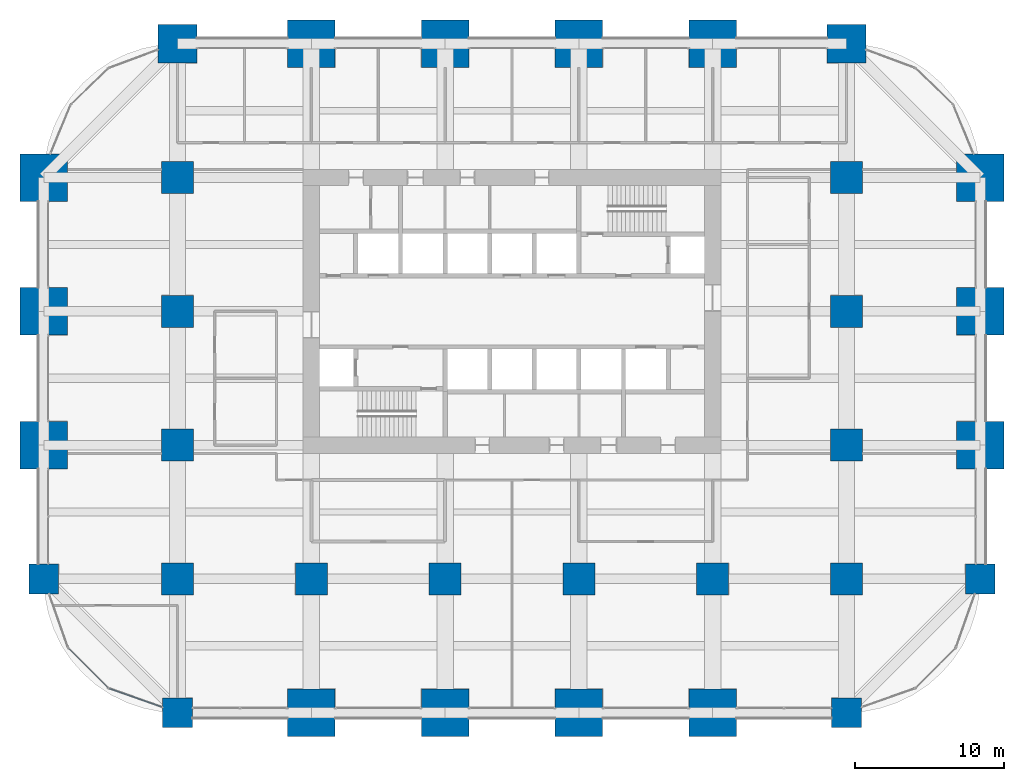
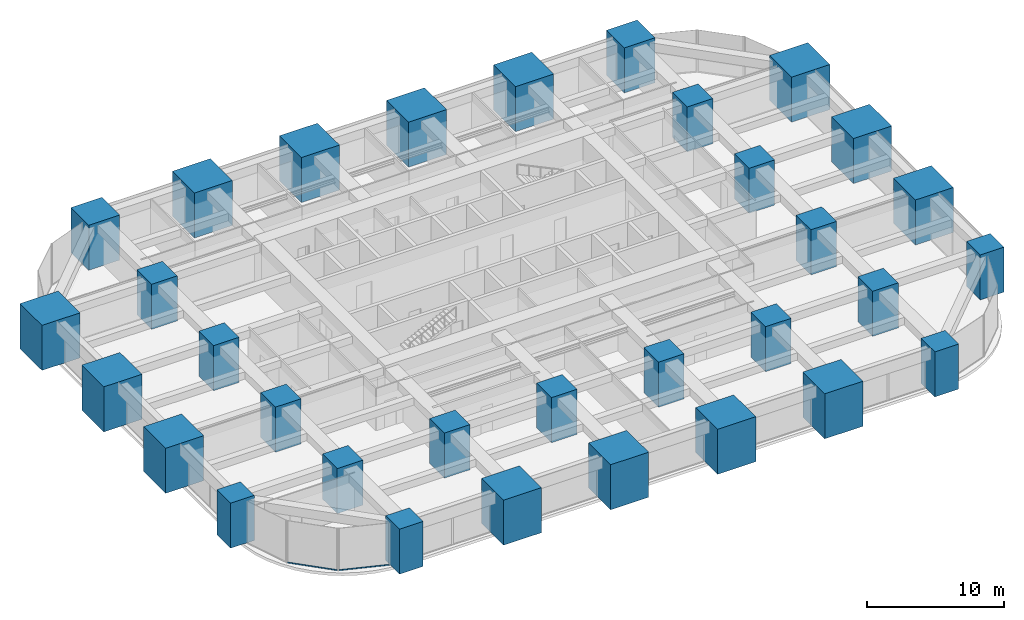
# One storey, part 1 of 41: 32 columns, 2 members, 2 elements without a shape of their own.
"""IFC4 building model written with IfcOpenShell, lengths in metres."""

from ifc_helpers import new_model, si_unit, direction, frame, origin, origin_2d, place, context, subcontext, project, spatial, rectangle, hollow_rectangle, extrude, material, material_profile, profile_set, type_object, element, aggregate, save


model = new_model("IFC4")

# Units and contexts
model_context = context("Model", 3, precision=1e-05, world=origin(), true_north=direction((0.0, 1.0)))
body_context = subcontext(model_context, "Body", "Model", "MODEL_VIEW")
ifc_project = project(units=[si_unit("LENGTHUNIT", "METRE"), si_unit("AREAUNIT", "SQUARE_METRE"), si_unit("VOLUMEUNIT", "CUBIC_METRE"), si_unit("PLANEANGLEUNIT", "RADIAN"), si_unit("MASSUNIT", "GRAM", prefix="KILO")], contexts=[model_context])

# Site, building, storey
site_placement = place(None, origin())
site = spatial("IfcSite", under=ifc_project, at=site_placement, CompositionType="ELEMENT")
building_placement = place(site_placement, origin())
building = spatial("IfcBuilding", under=site, at=building_placement, Name="Zorevar Civic Tower", CompositionType="ELEMENT")
storey_placement = place(building_placement, frame((0.0, 0.0, 89.0)))
storey = spatial("IfcBuildingStorey", under=building, at=storey_placement, Name="L21", CompositionType="ELEMENT", Elevation=89.0)

# Columns
ifc_material_1 = material(Name="Concrete C50/60", Category="concrete")
ifc_material_profile_1 = material_profile(ifc_material_1, rectangle(XDim=2.0, YDim=2.0, at=origin_2d()), Name="RC 2000x2000")
ifc_profile_set_1 = profile_set([ifc_material_profile_1], Name="Concrete C50/60")
column_type_1 = type_object("IfcColumnType", Name="Column RC 2000x2000", PredefinedType="COLUMN", material=ifc_profile_set_1)
for number, where, z_axis, x_axis, name in (
    (1, (0.0, 9.0, 0.0), (0.0, 0.0, 1.0), (1.0, 0.0, 0.0), "Column 2B L21"),
    (2, (9.0, 0.0, 0.0), (0.0, 0.0, 1.0), (1.0, 0.0, 0.0), "Column 3A L21"),
    (3, (54.0, 0.0, 0.0), (0.0, 0.0, 1.0), (1.0, 0.0, 0.0), "Column 8A L21"),
    (4, (63.0, 9.0, 0.0), (0.0, 0.0, 1.0), (1.0, 0.0, 0.0), "Column 9B L21"),
):
    element("IfcColumn", number, at=place(storey_placement, frame(where, z_axis=z_axis, x_axis=x_axis)), inside=storey, type_object=column_type_1, Name=name, PredefinedType="COLUMN", context=body_context, shape_type="SweptSolid", body=[
        extrude(rectangle(XDim=2.0, YDim=2.0, at=origin_2d()), origin(), (0.0, 0.0, 1.0), 4.0),
    ])
ifc_material_2 = material(Name="Concrete C50/60", Category="concrete")
ifc_material_profile_2 = material_profile(ifc_material_2, rectangle(XDim=2.14990234375, YDim=2.14990234375, at=origin_2d()), Name="RC 2150x2150")
ifc_profile_set_2 = profile_set([ifc_material_profile_2], Name="Concrete C50/60")
column_type_2 = type_object("IfcColumnType", Name="Column RC 2150x2150", PredefinedType="COLUMN", material=ifc_profile_set_2)
for number, where, z_axis, x_axis, name in (
    (5, (9.0, 9.0, 0.0), (0.0, 0.0, 1.0), (1.0, 0.0, 0.0), "Column 3B L21"),
    (6, (9.0, 18.0, 0.0), (0.0, 0.0, 1.0), (1.0, 0.0, 0.0), "Column 3C L21"),
    (7, (9.0, 27.0, 0.0), (0.0, 0.0, 1.0), (1.0, 0.0, 0.0), "Column 3D L21"),
    (8, (9.0, 36.0, 0.0), (0.0, 0.0, 1.0), (1.0, 0.0, 0.0), "Column 3E L21"),
    (9, (18.0, 9.0, 0.0), (0.0, 0.0, 1.0), (1.0, 0.0, 0.0), "Column 4B L21"),
    (10, (27.0, 9.0, 0.0), (0.0, 0.0, 1.0), (1.0, 0.0, 0.0), "Column 5B L21"),
    (11, (36.0, 9.0, 0.0), (0.0, 0.0, 1.0), (1.0, 0.0, 0.0), "Column 6B L21"),
    (12, (45.0, 9.0, 0.0), (0.0, 0.0, 1.0), (1.0, 0.0, 0.0), "Column 7B L21"),
    (13, (54.0, 9.0, 0.0), (0.0, 0.0, 1.0), (1.0, 0.0, 0.0), "Column 8B L21"),
    (14, (54.0, 18.0, 0.0), (0.0, 0.0, 1.0), (1.0, 0.0, 0.0), "Column 8C L21"),
    (15, (54.0, 27.0, 0.0), (0.0, 0.0, 1.0), (1.0, 0.0, 0.0), "Column 8D L21"),
    (16, (54.0, 36.0, 0.0), (0.0, 0.0, 1.0), (1.0, 0.0, 0.0), "Column 8E L21"),
):
    element("IfcColumn", number, at=place(storey_placement, frame(where, z_axis=z_axis, x_axis=x_axis)), inside=storey, type_object=column_type_2, Name=name, PredefinedType="COLUMN", context=body_context, shape_type="SweptSolid", body=[
        extrude(rectangle(XDim=2.14990234375, YDim=2.14990234375, at=origin_2d()), origin(), (0.0, 0.0, 1.0), 4.0),
    ])
ifc_material_3 = material(Name="Concrete C50/60", Category="concrete")
ifc_material_profile_3 = material_profile(ifc_material_3, rectangle(XDim=2.60009765625, YDim=2.60009765625, at=origin_2d()), Name="RC 2600x2600")
ifc_profile_set_3 = profile_set([ifc_material_profile_3], Name="Concrete C50/60")
column_type_3 = type_object("IfcColumnType", Name="Column RC 2600x2600", PredefinedType="COLUMN", material=ifc_profile_set_3)
for number, where, z_axis, x_axis, name in (
    (17, (9.0, 45.0, 0.0), (0.0, 0.0, 1.0), (1.0, 0.0, 0.0), "Column 3F L21"),
    (18, (54.0, 45.0, 0.0), (0.0, 0.0, 1.0), (1.0, 0.0, 0.0), "Column 8F L21"),
):
    element("IfcColumn", number, at=place(storey_placement, frame(where, z_axis=z_axis, x_axis=x_axis)), inside=storey, type_object=column_type_3, Name=name, PredefinedType="COLUMN", context=body_context, shape_type="SweptSolid", body=[
        extrude(rectangle(XDim=2.60009765625, YDim=2.60009765625, at=origin_2d()), origin(), (0.0, 0.0, 1.0), 4.0),
    ])
ifc_material_4 = material(Name="Concrete C50/60", Category="concrete")
ifc_material_profile_4 = material_profile(ifc_material_4, rectangle(XDim=3.199951171875, YDim=3.199951171875, at=origin_2d()), Name="RC 3200x3200")
ifc_profile_set_4 = profile_set([ifc_material_profile_4], Name="Concrete C50/60")
column_type_4 = type_object("IfcColumnType", Name="Mega column RC 3200x3200", PredefinedType="COLUMN", material=ifc_profile_set_4)
for number, where, z_axis, x_axis, name in (
    (19, (0.0, 18.0, 0.0), (0.0, 0.0, 1.0), (1.0, 0.0, 0.0), "Column 2C L21"),
    (20, (0.0, 27.0, 0.0), (0.0, 0.0, 1.0), (1.0, 0.0, 0.0), "Column 2D L21"),
    (21, (0.0, 36.0, 0.0), (0.0, 0.0, 1.0), (1.0, 0.0, 0.0), "Column 2E L21"),
    (22, (18.0, 0.0, 0.0), (0.0, 0.0, 1.0), (1.0, 0.0, 0.0), "Column 4A L21"),
    (23, (18.0, 45.0, 0.0), (0.0, 0.0, 1.0), (1.0, 0.0, 0.0), "Column 4F L21"),
    (24, (27.0, 0.0, 0.0), (0.0, 0.0, 1.0), (1.0, 0.0, 0.0), "Column 5A L21"),
    (25, (27.0, 45.0, 0.0), (0.0, 0.0, 1.0), (1.0, 0.0, 0.0), "Column 5F L21"),
    (26, (36.0, 0.0, 0.0), (0.0, 0.0, 1.0), (1.0, 0.0, 0.0), "Column 6A L21"),
    (27, (36.0, 45.0, 0.0), (0.0, 0.0, 1.0), (1.0, 0.0, 0.0), "Column 6F L21"),
    (28, (45.0, 0.0, 0.0), (0.0, 0.0, 1.0), (1.0, 0.0, 0.0), "Column 7A L21"),
    (29, (45.0, 45.0, 0.0), (0.0, 0.0, 1.0), (1.0, 0.0, 0.0), "Column 7F L21"),
    (30, (63.0, 18.0, 0.0), (0.0, 0.0, 1.0), (1.0, 0.0, 0.0), "Column 9C L21"),
    (31, (63.0, 27.0, 0.0), (0.0, 0.0, 1.0), (1.0, 0.0, 0.0), "Column 9D L21"),
    (32, (63.0, 36.0, 0.0), (0.0, 0.0, 1.0), (1.0, 0.0, 0.0), "Column 9E L21"),
):
    element("IfcColumn", number, at=place(storey_placement, frame(where, z_axis=z_axis, x_axis=x_axis)), inside=storey, type_object=column_type_4, Name=name, PredefinedType="COLUMN", context=body_context, shape_type="SweptSolid", body=[
        extrude(rectangle(XDim=3.199951171875, YDim=3.199951171875, at=origin_2d()), origin(), (0.0, 0.0, 1.0), 4.0),
    ])

# Curtain wall, member
ifc_material_5 = material(Name="Dark grey solar-control glass in black aluminium frame", Category="aluminium")
curtain_wall_type = type_object("IfcCurtainWallType", Name="Curtain wall CW3 mid zone", PredefinedType="NOTDEFINED", material=ifc_material_5)
curtain_wall_1_placement = place(storey_placement, origin())
curtain_wall_1 = element("IfcCurtainWall", 33, at=curtain_wall_1_placement, inside=storey, type_object=curtain_wall_type, Name="CW3 L21", PredefinedType="NOTDEFINED")
ifc_material_6 = material(Name="Aluminium, black anodised", Category="aluminium")
ifc_material_profile_5 = material_profile(ifc_material_6, hollow_rectangle(XDim=0.06005859375, YDim=0.1201171875, WallThickness=0.0029296875, at=origin_2d()), Name="AL 120x60x3")
ifc_profile_set_5 = profile_set([ifc_material_profile_5], Name="Aluminium, black anodised")
member_type = type_object("IfcMemberType", Name="CW3 transom AL 120x60x3", PredefinedType="USERDEFINED", material=ifc_profile_set_5)
member_1_placement = place(storey_placement, frame((1.6806640625, 4.321533203125, 0.030029296875), z_axis=(0.707106781187, -0.707106781187, 0.0), x_axis=(0.707106781187, 0.707106781187, 0.0)))
member_1 = element("IfcMember", 34, at=member_1_placement, type_object=member_type, Name="CW3 sill transom", ObjectType="TRANSOM", PredefinedType="USERDEFINED", context=body_context, shape_type="SweptSolid", body=[
    extrude(hollow_rectangle(XDim=0.06005859375, YDim=0.1201171875, WallThickness=0.0029296875, at=origin_2d()), origin(), (0.0, 0.0, 1.0), 3.73486328125),
])
aggregate(curtain_wall_1, [member_1])

curtain_wall_2_placement = place(storey_placement, origin())
curtain_wall_2 = element("IfcCurtainWall", 35, at=curtain_wall_2_placement, inside=storey, type_object=curtain_wall_type, Name="CW3 L21", PredefinedType="NOTDEFINED")
member_2_placement = place(storey_placement, frame((4.420654296875, 1.6181640625, 0.030029296875), z_axis=(0.943227839685, -0.332146417176, 0.0), x_axis=(0.332146417176, 0.943227839685, 0.0)))
member_2 = element("IfcMember", 36, at=member_2_placement, type_object=member_type, Name="CW3 sill transom", ObjectType="TRANSOM", PredefinedType="USERDEFINED", context=body_context, shape_type="SweptSolid", body=[
    extrude(hollow_rectangle(XDim=0.06005859375, YDim=0.1201171875, WallThickness=0.0029296875, at=origin_2d()), origin(), (0.0, 0.0, 1.0), 3.734619140625),
])
aggregate(curtain_wall_2, [member_2])

save(model, "model.ifc")
